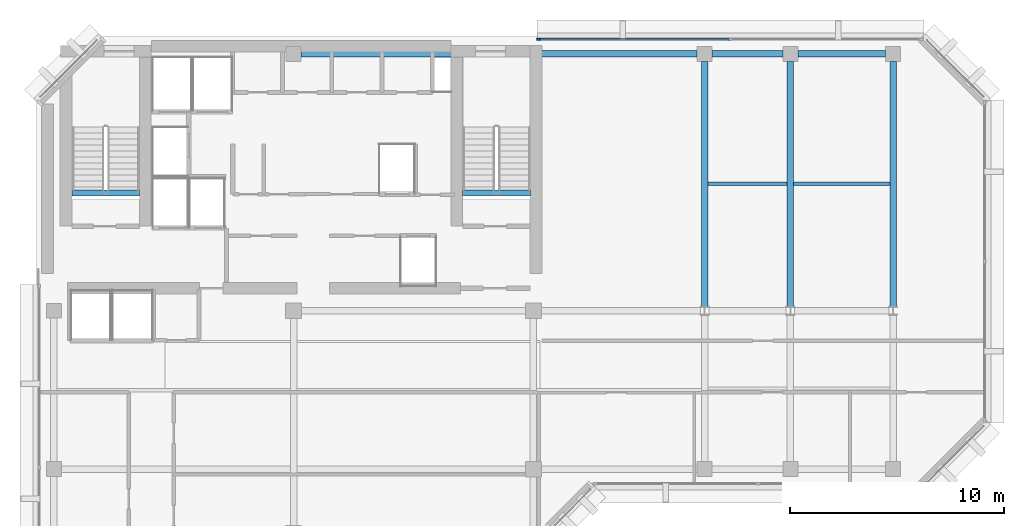
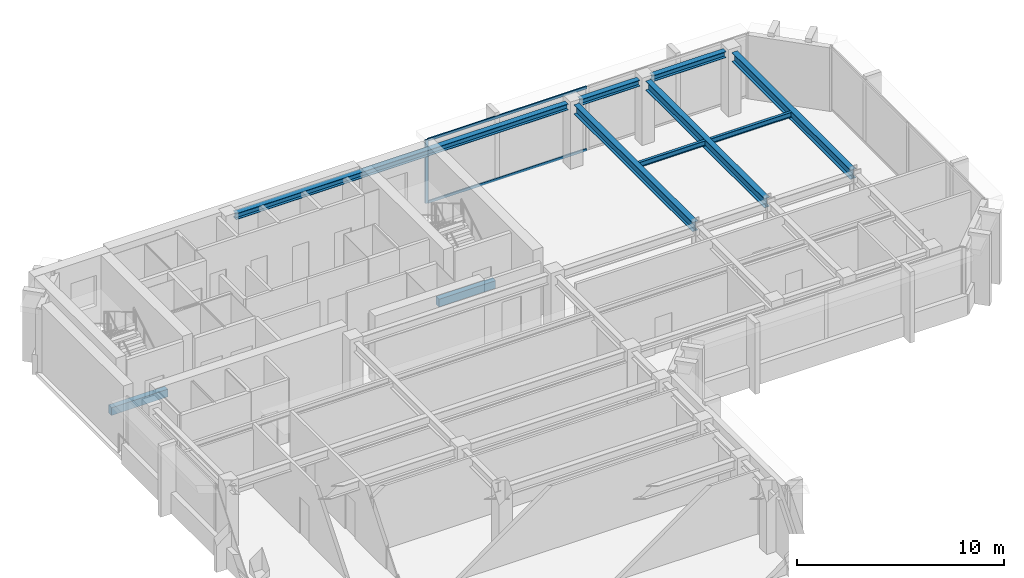
# One storey, part 4 of 11: 10 beams, 3 members, 1 element without a shape of its own.
"""IFC4 building model written with IfcOpenShell, lengths in metres."""

from ifc_helpers import new_model, si_unit, direction, frame, origin, origin_2d, place, context, subcontext, project, spatial, rectangle, i_section, extrude, material, layer, layer_set, material_profile, profile_set, type_object, element, aggregate, save


model = new_model("IFC4")

# Units and contexts
model_context = context("Model", 3, precision=1e-05, world=origin(), true_north=direction((0.0, 1.0)))
body_context = subcontext(model_context, "Body", "Model", "MODEL_VIEW")
ifc_project = project(units=[si_unit("LENGTHUNIT", "METRE"), si_unit("AREAUNIT", "SQUARE_METRE"), si_unit("VOLUMEUNIT", "CUBIC_METRE"), si_unit("PLANEANGLEUNIT", "RADIAN"), si_unit("MASSUNIT", "GRAM", prefix="KILO")], contexts=[model_context])

# Site, building, storey
site_placement = place(None, origin())
site = spatial("IfcSite", under=ifc_project, at=site_placement, CompositionType="ELEMENT")
building_placement = place(site_placement, origin())
building = spatial("IfcBuilding", under=site, at=building_placement, Name="Kefirva Bronze Tower", CompositionType="ELEMENT")
storey_placement = place(building_placement, frame((0.0, 0.0, 335.610107421875)))
storey = spatial("IfcBuildingStorey", under=building, at=storey_placement, Name="L82", CompositionType="ELEMENT", Elevation=335.610107421875)

# Curtain wall, members
ifc_material_1 = material(Name="Bronze anodised aluminium", Category="aluminium")
ifc_layer = layer(ifc_material_1, 0.179931640625, Name="Bronze anodised aluminium")
ifc_layer_set = layer_set([ifc_layer], Name="Bronze anodised aluminium")
curtain_wall_type = type_object("IfcCurtainWallType", Name="Unitised Bronze Ribbon Curtain Wall Zone 4", PredefinedType="USERDEFINED", material=ifc_layer_set)
curtain_wall_placement = place(storey_placement, origin())
curtain_wall = element("IfcCurtainWall", 1, at=curtain_wall_placement, inside=storey, type_object=curtain_wall_type, Name="L82 Curtain Wall 4", ObjectType="UNITISED CURTAIN WALL", PredefinedType="USERDEFINED")
ifc_material_profile_1 = material_profile(ifc_material_1, rectangle(XDim=0.074951171875, YDim=0.179931640625, at=origin_2d()), Name="ALU 75x180")
ifc_profile_set_1 = profile_set([ifc_material_profile_1], Name="Bronze anodised aluminium")
member_type_1 = type_object("IfcMemberType", Name="Bronze Mullion 75x180", PredefinedType="MULLION", material=ifc_profile_set_1)
member_1_placement = place(storey_placement, frame((23.4423828125, 45.8798828125, 0.0), z_axis=(0.0, 0.0, 1.0), x_axis=(0.0, -1.0, 0.0)))
member_1 = element("IfcMember", 2, at=member_1_placement, type_object=member_type_1, Name="CW-04 mullion 3", PredefinedType="MULLION", context=body_context, shape_type="SweptSolid", body=[
    extrude(rectangle(XDim=0.074951171875, YDim=0.179931640625, at=origin_2d()), origin(), (0.0, 0.0, 1.0), 3.739990234375),
])
ifc_material_profile_2 = material_profile(ifc_material_1, rectangle(XDim=0.074951171875, YDim=0.14990234375, at=origin_2d()), Name="ALU 75x150")
ifc_profile_set_2 = profile_set([ifc_material_profile_2], Name="Bronze anodised aluminium")
member_type_2 = type_object("IfcMemberType", Name="Bronze Transom 75x150", PredefinedType="USERDEFINED", material=ifc_profile_set_2)
member_2_placement = place(storey_placement, frame((32.33740234375, 45.8798828125, 0.037353515625), z_axis=(-1.0, 0.0, 0.0), x_axis=(0.0, -1.0, 0.0)))
member_2 = element("IfcMember", 3, at=member_2_placement, type_object=member_type_2, Name="CW-04 transom 2.1", ObjectType="TRANSOM", PredefinedType="USERDEFINED", context=body_context, shape_type="SweptSolid", body=[
    extrude(rectangle(XDim=0.074951171875, YDim=0.14990234375, at=origin_2d()), origin(), (0.0, 0.0, 1.0), 8.857421875),
])
member_3_placement = place(storey_placement, frame((32.33740234375, 45.8798828125, 3.702392578125), z_axis=(-1.0, 0.0, 0.0), x_axis=(0.0, -1.0, 0.0)))
member_3 = element("IfcMember", 4, at=member_3_placement, type_object=member_type_2, Name="CW-04 transom 2.2", ObjectType="TRANSOM", PredefinedType="USERDEFINED", context=body_context, shape_type="SweptSolid", body=[
    extrude(rectangle(XDim=0.074951171875, YDim=0.14990234375, at=origin_2d()), origin(), (0.0, 0.0, 1.0), 8.857421875),
])
aggregate(curtain_wall, [member_1, member_2, member_3])

# Beams
ifc_material_2 = material(Name="Concrete C50/60", Category="concrete")
ifc_material_profile_3 = material_profile(ifc_material_2, rectangle(XDim=0.300048828125, YDim=0.449951171875, at=origin_2d()), Name="RC 300x450")
ifc_profile_set_3 = profile_set([ifc_material_profile_3], Name="Concrete C50/60")
beam_type_1 = type_object("IfcBeamType", Name="RC Stair Trimmer Beam 300x450", PredefinedType="BEAM", material=ifc_profile_set_3)
beam_1_placement = place(storey_placement, frame((1.64501953125, 38.699951171875, -0.22509765625), z_axis=(1.0, 0.0, 0.0), x_axis=(0.0, 1.0, 0.0)))
element("IfcBeam", 5, at=beam_1_placement, inside=storey, type_object=beam_type_1, Name="L82 Stair 1 Landing Trimmer Beam", PredefinedType="BEAM", context=body_context, shape_type="SweptSolid", body=[
    extrude(rectangle(XDim=0.300048828125, YDim=0.449951171875, at=origin_2d()), origin(), (0.0, 0.0, 1.0), 3.14990234375),
])
beam_2_placement = place(storey_placement, frame((19.89501953125, 38.699951171875, -0.22509765625), z_axis=(1.0, 0.0, 0.0), x_axis=(0.0, 1.0, 0.0)))
element("IfcBeam", 6, at=beam_2_placement, inside=storey, type_object=beam_type_1, Name="L82 Stair 2 Landing Trimmer Beam", PredefinedType="BEAM", context=body_context, shape_type="SweptSolid", body=[
    extrude(rectangle(XDim=0.300048828125, YDim=0.449951171875, at=origin_2d()), origin(), (0.0, 0.0, 1.0), 3.159912109375),
])
ifc_material_3 = material(Name="Steel S355", Category="steel")
ifc_material_profile_4 = material_profile(ifc_material_3, i_section(OverallWidth=0.14990234375, OverallDepth=0.300048828125, WebThickness=0.007080078125, FlangeThickness=0.0107421875, at=origin_2d()), Name="IPE 300")
ifc_profile_set_4 = profile_set([ifc_material_profile_4], Name="Steel S355")
beam_type_2 = type_object("IfcBeamType", Name="Steel Floor Joist IPE 300", PredefinedType="JOIST", material=ifc_profile_set_4)
beam_3_placement = place(storey_placement, frame((31.35009765625, 39.12890625, 3.58984375), z_axis=(1.0, 0.0, 0.0), x_axis=(0.0, 1.0, 0.0)))
element("IfcBeam", 7, at=beam_3_placement, inside=storey, type_object=beam_type_2, Name="L82 JST-L82-31-391", PredefinedType="JOIST", context=body_context, shape_type="SweptSolid", body=[
    extrude(i_section(OverallWidth=0.14990234375, OverallDepth=0.300048828125, WebThickness=0.007080078125, FlangeThickness=0.0107421875, at=origin_2d()), origin(), (0.0, 0.0, 1.0), 3.699951171875),
])
beam_4_placement = place(storey_placement, frame((35.35009765625, 39.12890625, 3.58984375), z_axis=(1.0, 0.0, 0.0), x_axis=(0.0, 1.0, 0.0)))
element("IfcBeam", 8, at=beam_4_placement, inside=storey, type_object=beam_type_2, Name="L82 JST-L82-35-391", PredefinedType="JOIST", context=body_context, shape_type="SweptSolid", body=[
    extrude(i_section(OverallWidth=0.14990234375, OverallDepth=0.300048828125, WebThickness=0.007080078125, FlangeThickness=0.0107421875, at=origin_2d()), origin(), (0.0, 0.0, 1.0), 4.5),
])
ifc_material_profile_5 = material_profile(ifc_material_3, i_section(OverallWidth=0.300048828125, OverallDepth=0.550048828125, WebThickness=0.014892578125, FlangeThickness=0.029052734375, at=origin_2d()), Name="HEB 550")
ifc_profile_set_5 = profile_set([ifc_material_profile_5], Name="Steel S355")
beam_type_3 = type_object("IfcBeamType", Name="Steel Girder HEB 550", PredefinedType="USERDEFINED", material=ifc_profile_set_5)
for number, where, z_axis, x_axis, name in (
    (9, (31.199951171875, 33.407958984375, 3.46484375), (0.0, 1.0, 0.0), (-1.0, 0.0, 0.0), "L82 BM-L82-NS-312-33"),
    (10, (35.199951171875, 33.407958984375, 3.46484375), (0.0, 1.0, 0.0), (-1.0, 0.0, 0.0), "L82 BM-L82-NS-352-33"),
    (11, (40.0, 33.407958984375, 3.46484375), (0.0, 1.0, 0.0), (-1.0, 0.0, 0.0), "L82 BM-L82-NS-400-33"),
):
    element("IfcBeam", number, at=place(storey_placement, frame(where, z_axis=z_axis, x_axis=x_axis)), inside=storey, type_object=beam_type_3, Name=name, ObjectType="GIRDER", PredefinedType="USERDEFINED", context=body_context, shape_type="SweptSolid", body=[
        extrude(i_section(OverallWidth=0.300048828125, OverallDepth=0.550048828125, WebThickness=0.014892578125, FlangeThickness=0.029052734375, at=origin_2d()), origin(), (0.0, 0.0, 1.0), 11.442138671875),
    ])
ifc_material_profile_6 = material_profile(ifc_material_3, i_section(OverallWidth=0.300048828125, OverallDepth=0.360107421875, WebThickness=0.012451171875, FlangeThickness=0.0224609375, at=origin_2d()), Name="HEB 360")
ifc_profile_set_6 = profile_set([ifc_material_profile_6], Name="Steel S355")
beam_type_4 = type_object("IfcBeamType", Name="Steel Spandrel HEB 360 Ext", PredefinedType="SPANDREL", material=ifc_profile_set_6)
beam_5_placement = place(storey_placement, frame((12.35009765625, 45.199951171875, 3.559814453125), z_axis=(1.0, 0.0, 0.0), x_axis=(0.0, 1.0, 0.0)))
element("IfcBeam", 12, at=beam_5_placement, inside=storey, type_object=beam_type_4, Name="L82 BM-L82-EW-12-452", PredefinedType="SPANDREL", context=body_context, shape_type="SweptSolid", body=[
    extrude(i_section(OverallWidth=0.300048828125, OverallDepth=0.360107421875, WebThickness=0.012451171875, FlangeThickness=0.0224609375, at=origin_2d()), origin(), (0.0, 0.0, 1.0), 18.5),
])
beam_6_placement = place(storey_placement, frame((31.550048828125, 45.199951171875, 3.559814453125), z_axis=(1.0, 0.0, 0.0), x_axis=(0.0, 1.0, 0.0)))
element("IfcBeam", 13, at=beam_6_placement, inside=storey, type_object=beam_type_4, Name="L82 BM-L82-EW-31-452", PredefinedType="SPANDREL", context=body_context, shape_type="SweptSolid", body=[
    extrude(i_section(OverallWidth=0.300048828125, OverallDepth=0.360107421875, WebThickness=0.012451171875, FlangeThickness=0.0224609375, at=origin_2d()), origin(), (0.0, 0.0, 1.0), 3.300048828125),
])
beam_7_placement = place(storey_placement, frame((35.550048828125, 45.199951171875, 3.559814453125), z_axis=(1.0, 0.0, 0.0), x_axis=(0.0, 1.0, 0.0)))
element("IfcBeam", 14, at=beam_7_placement, inside=storey, type_object=beam_type_4, Name="L82 BM-L82-EW-35-452", PredefinedType="SPANDREL", context=body_context, shape_type="SweptSolid", body=[
    extrude(i_section(OverallWidth=0.300048828125, OverallDepth=0.360107421875, WebThickness=0.012451171875, FlangeThickness=0.0224609375, at=origin_2d()), origin(), (0.0, 0.0, 1.0), 4.099853515625),
])

save(model, "model.ifc")
